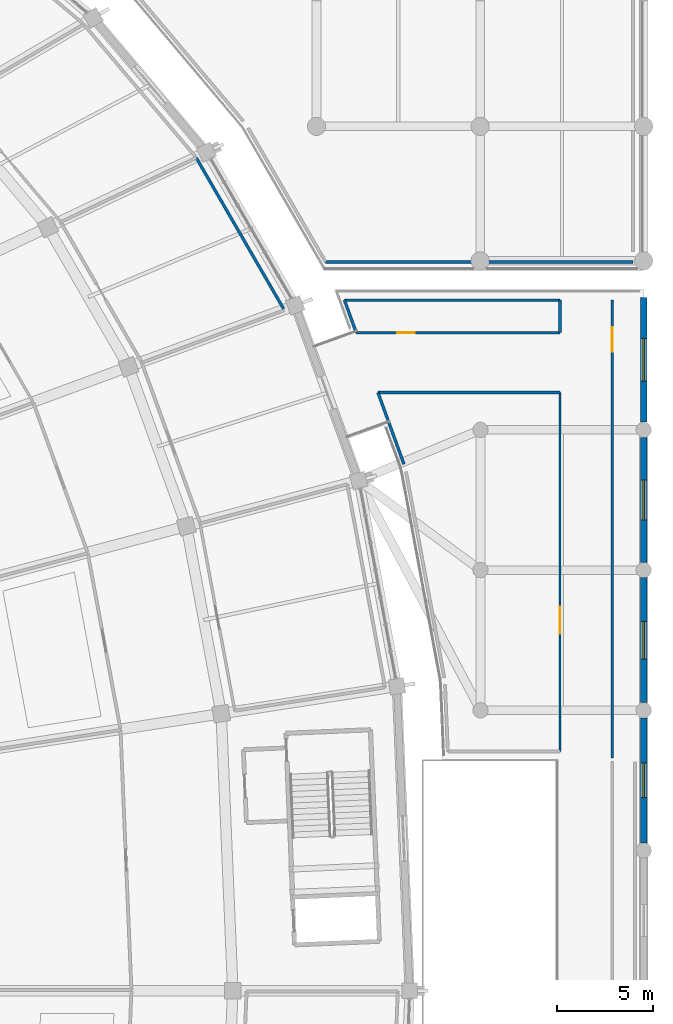
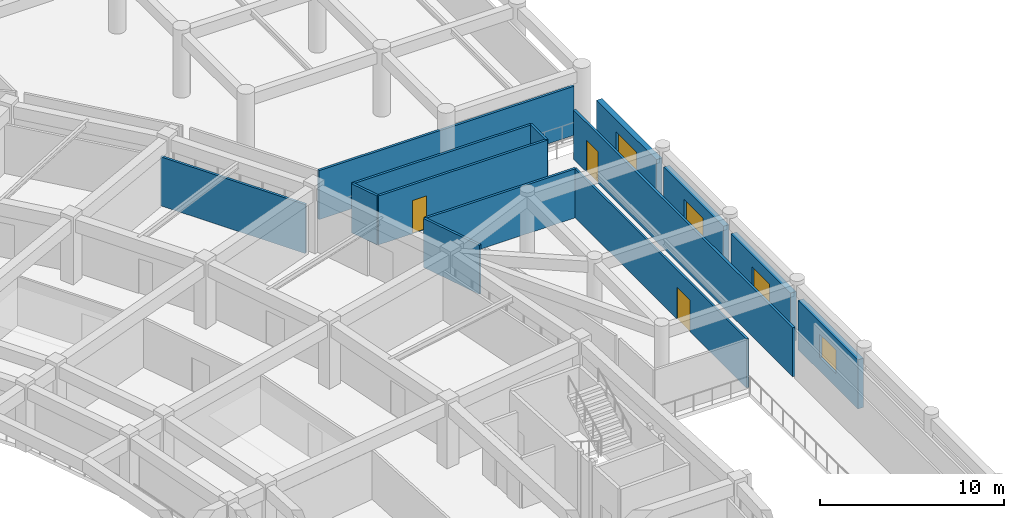
# One storey, part 106 of 145: 14 walls, 4 windows, 3 doors, 7 openings.
"""IFC4 building model written with IfcOpenShell, lengths in metres."""

from ifc_helpers import new_model, si_unit, direction, frame, frame_2d, origin, place, context, subcontext, project, spatial, rectangle, extrude, material, layer, layer_set, type_object, element, fill, save


model = new_model("IFC4")

# Units and contexts
model_context = context("Model", 3, precision=1e-05, world=origin(), true_north=direction((0.0, 1.0)))
body_context = subcontext(model_context, "Body", "Model", "MODEL_VIEW")
ifc_project = project(units=[si_unit("LENGTHUNIT", "METRE"), si_unit("AREAUNIT", "SQUARE_METRE"), si_unit("VOLUMEUNIT", "CUBIC_METRE"), si_unit("PLANEANGLEUNIT", "RADIAN"), si_unit("MASSUNIT", "GRAM", prefix="KILO")], contexts=[model_context])

# Site, building, storey
site_placement = place(None, origin())
site = spatial("IfcSite", under=ifc_project, at=site_placement, CompositionType="ELEMENT")
building_placement = place(site_placement, origin())
building = spatial("IfcBuilding", under=site, at=building_placement, Name="Mphavela Belvedere Stadium", CompositionType="ELEMENT")
storey_placement = place(building_placement, frame((0.0, 0.0, 10.199951171875)))
storey = spatial("IfcBuildingStorey", under=building, at=storey_placement, Name="L02", CompositionType="ELEMENT", Elevation=10.199951171875)

# Wall, opening, window
ifc_material_1 = material(Name="Honed ashlar limestone masonry", Category="masonry")
ifc_layer_1 = layer(ifc_material_1, 0.35009765625)
ifc_layer_set_1 = layer_set([ifc_layer_1], Name="Honed ashlar limestone masonry")
wall_type_1 = type_object("IfcWallType", Name="WAL-EXT-ASHLAR-350", PredefinedType="STANDARD", material=ifc_layer_set_1)
wall_1_placement = place(storey_placement, frame((230.0, 101.201904296875, 0.0), z_axis=(0.0, 0.0, 1.0), x_axis=(0.0, -1.0, 0.0)))
wall_1 = element("IfcWall", 1, at=wall_1_placement, inside=storey, type_object=wall_type_1, Name="East Planted Eaves Peristyle Colonnade outer facade bay L02-07", PredefinedType="STANDARD", context=body_context, shape_type="SweptSolid", body=[
    extrude(rectangle(XDim=6.50390625, YDim=0.35009765625, at=frame_2d((3.251953125, 0.0))), origin(), (0.0, 0.0, 1.0), 3.260009765625),
])
opening_1_placement = place(wall_1_placement, frame((2.35205078125, 0.0, 0.89990234375)))
opening_1 = element("IfcOpeningElement", 2, at=opening_1_placement, cuts=wall_1, Name="Opening W-314", PredefinedType="OPENING", context=body_context, shape_type="SweptSolid", body=[
    extrude(rectangle(XDim=1.800048828125, YDim=1.550048828125, at=frame_2d((0.89990234375, 0.77490234375))), frame((0.0, 0.18505859375, 0.0), z_axis=(0.0, -1.0, 0.0), x_axis=(1.0, 0.0, 0.0)), (0.0, 0.0, 1.0), 0.3701171875),
])
ifc_material_2 = material(Name="Bronze-anodised thermally broken aluminium window", Category="aluminium")
window_type_1 = type_object("IfcWindowType", Name="WIN-EXT-06", PartitioningType="SINGLE_PANEL", PredefinedType="WINDOW", material=ifc_material_2)
window_1_placement = place(opening_1_placement, origin())
window_1 = element("IfcWindow", 3, at=window_1_placement, inside=storey, type_object=window_type_1, Name="East Planted Eaves Peristyle Colonnade classical window W-314", OverallHeight=1.550048828125, OverallWidth=1.800048828125, PartitioningType="SINGLE_PANEL", PredefinedType="WINDOW", context=body_context, shape_type="SweptSolid", body=[
    extrude(rectangle(XDim=1.800048828125, YDim=1.550048828125, at=frame_2d((0.89990234375, 0.77490234375))), frame((0.0, 0.030029296875, 0.0), z_axis=(0.0, -1.0, 0.0), x_axis=(1.0, 0.0, 0.0)), (0.0, 0.0, 1.0), 0.06005859375),
])
fill(opening_1, window_1)

wall_2_placement = place(storey_placement, frame((230.0, 108.501953125, 0.0), z_axis=(0.0, 0.0, 1.0), x_axis=(0.0, -1.0, 0.0)))
wall_2 = element("IfcWall", 4, at=wall_2_placement, inside=storey, type_object=wall_type_1, Name="East Planted Eaves Peristyle Colonnade outer facade bay L02-08", PredefinedType="STANDARD", context=body_context, shape_type="SweptSolid", body=[
    extrude(rectangle(XDim=6.50390625, YDim=0.35009765625, at=frame_2d((3.251953125, 0.0))), origin(), (0.0, 0.0, 1.0), 3.260009765625),
])
opening_2_placement = place(wall_2_placement, frame((2.281982421875, 0.0, 0.89990234375)))
opening_2 = element("IfcOpeningElement", 5, at=opening_2_placement, cuts=wall_2, Name="Opening W-315", PredefinedType="OPENING", context=body_context, shape_type="SweptSolid", body=[
    extrude(rectangle(XDim=1.93994140625, YDim=1.550048828125, at=frame_2d((0.969970703125, 0.77490234375))), frame((0.0, 0.18505859375, 0.0), z_axis=(0.0, -1.0, 0.0), x_axis=(1.0, 0.0, 0.0)), (0.0, 0.0, 1.0), 0.3701171875),
])
ifc_material_3 = material(Name="Bronze-anodised thermally broken aluminium window", Category="aluminium")
window_type_2 = type_object("IfcWindowType", Name="WIN-EXT-07", PartitioningType="SINGLE_PANEL", PredefinedType="WINDOW", material=ifc_material_3)
window_2_placement = place(opening_2_placement, origin())
window_2 = element("IfcWindow", 6, at=window_2_placement, inside=storey, type_object=window_type_2, Name="East Planted Eaves Peristyle Colonnade classical window W-315", OverallHeight=1.550048828125, OverallWidth=1.93994140625, PartitioningType="SINGLE_PANEL", PredefinedType="WINDOW", context=body_context, shape_type="SweptSolid", body=[
    extrude(rectangle(XDim=1.93994140625, YDim=1.550048828125, at=frame_2d((0.969970703125, 0.77490234375))), frame((0.0, 0.030029296875, 0.0), z_axis=(0.0, -1.0, 0.0), x_axis=(1.0, 0.0, 0.0)), (0.0, 0.0, 1.0), 0.06005859375),
])
fill(opening_2, window_2)

wall_3_placement = place(storey_placement, frame((230.0, 115.802001953125, 0.0), z_axis=(0.0, 0.0, 1.0), x_axis=(0.0, -1.0, 0.0)))
wall_3 = element("IfcWall", 7, at=wall_3_placement, inside=storey, type_object=wall_type_1, Name="East Planted Eaves Peristyle Colonnade outer facade bay L02-09", PredefinedType="STANDARD", context=body_context, shape_type="SweptSolid", body=[
    extrude(rectangle(XDim=6.50390625, YDim=0.35009765625, at=frame_2d((3.251953125, 0.0))), origin(), (0.0, 0.0, 1.0), 3.260009765625),
])
opening_3_placement = place(wall_3_placement, frame((2.2119140625, 0.0, 0.89990234375)))
opening_3 = element("IfcOpeningElement", 8, at=opening_3_placement, cuts=wall_3, Name="Opening W-316", PredefinedType="OPENING", context=body_context, shape_type="SweptSolid", body=[
    extrude(rectangle(XDim=2.080078125, YDim=1.550048828125, at=frame_2d((1.0400390625, 0.77490234375))), frame((0.0, 0.18505859375, 0.0), z_axis=(0.0, -1.0, 0.0), x_axis=(1.0, 0.0, 0.0)), (0.0, 0.0, 1.0), 0.3701171875),
])
ifc_material_4 = material(Name="Bronze-anodised thermally broken aluminium window", Category="aluminium")
window_type_3 = type_object("IfcWindowType", Name="WIN-EXT-08", PartitioningType="SINGLE_PANEL", PredefinedType="WINDOW", material=ifc_material_4)
window_3_placement = place(opening_3_placement, origin())
window_3 = element("IfcWindow", 9, at=window_3_placement, inside=storey, type_object=window_type_3, Name="East Planted Eaves Peristyle Colonnade classical window W-316", OverallHeight=1.550048828125, OverallWidth=2.080078125, PartitioningType="SINGLE_PANEL", PredefinedType="WINDOW", context=body_context, shape_type="SweptSolid", body=[
    extrude(rectangle(XDim=2.080078125, YDim=1.550048828125, at=frame_2d((1.0400390625, 0.77490234375))), frame((0.0, 0.030029296875, 0.0), z_axis=(0.0, -1.0, 0.0), x_axis=(1.0, 0.0, 0.0)), (0.0, 0.0, 1.0), 0.06005859375),
])
fill(opening_3, window_3)

wall_4_placement = place(storey_placement, frame((230.0, 123.10205078125, 0.0), z_axis=(0.0, 0.0, 1.0), x_axis=(0.0, -1.0, 0.0)))
wall_4 = element("IfcWall", 10, at=wall_4_placement, inside=storey, type_object=wall_type_1, Name="East Planted Eaves Peristyle Colonnade outer facade bay L02-10", PredefinedType="STANDARD", context=body_context, shape_type="SweptSolid", body=[
    extrude(rectangle(XDim=6.504150390625, YDim=0.35009765625, at=frame_2d((3.251953125, 0.0))), origin(), (0.0, 0.0, 1.0), 3.260009765625),
])
opening_4_placement = place(wall_4_placement, frame((2.14208984375, 0.0, 0.89990234375)))
opening_4 = element("IfcOpeningElement", 11, at=opening_4_placement, cuts=wall_4, Name="Opening W-317", PredefinedType="OPENING", context=body_context, shape_type="SweptSolid", body=[
    extrude(rectangle(XDim=2.219970703125, YDim=1.550048828125, at=frame_2d((1.10986328125, 0.77490234375))), frame((0.0, 0.18505859375, 0.0), z_axis=(0.0, -1.0, 0.0), x_axis=(1.0, 0.0, 0.0)), (0.0, 0.0, 1.0), 0.3701171875),
])
ifc_material_5 = material(Name="Bronze-anodised thermally broken aluminium window", Category="aluminium")
window_type_4 = type_object("IfcWindowType", Name="WIN-EXT-09", PartitioningType="SINGLE_PANEL", PredefinedType="WINDOW", material=ifc_material_5)
window_4_placement = place(opening_4_placement, origin())
window_4 = element("IfcWindow", 12, at=window_4_placement, inside=storey, type_object=window_type_4, Name="East Planted Eaves Peristyle Colonnade classical window W-317", OverallHeight=1.550048828125, OverallWidth=2.219970703125, PartitioningType="SINGLE_PANEL", PredefinedType="WINDOW", context=body_context, shape_type="SweptSolid", body=[
    extrude(rectangle(XDim=2.219970703125, YDim=1.550048828125, at=frame_2d((1.10986328125, 0.77490234375))), frame((0.0, 0.030029296875, 0.0), z_axis=(0.0, -1.0, 0.0), x_axis=(1.0, 0.0, 0.0)), (0.0, 0.0, 1.0), 0.06005859375),
])
fill(opening_4, window_4)

# Wall, opening, door
ifc_material_6 = material(Name="Moisture-resistant sanitary partition assembly")
ifc_layer_2 = layer(ifc_material_6, 0.125)
ifc_layer_set_2 = layer_set([ifc_layer_2], Name="Moisture-resistant sanitary partition assembly")
wall_type_2 = type_object("IfcWallType", Name="WAL-PART-125", PredefinedType="PARTITIONING", material=ifc_layer_set_2)
wall_5_placement = place(storey_placement, frame((225.639892578125, 118.139892578125, 0.0), z_axis=(0.0, 0.0, 1.0), x_axis=(0.0, -1.0, 0.0)))
wall_5 = element("IfcWall", 13, at=wall_5_placement, inside=storey, type_object=wall_type_2, Name="Room L02-202 corridor partition", PredefinedType="PARTITIONING", context=body_context, shape_type="SweptSolid", body=[
    extrude(rectangle(XDim=18.68994140625, YDim=0.125, at=frame_2d((9.344970703125, 0.0))), origin(), (0.0, 0.0, 1.0), 3.25),
])
opening_5_placement = place(wall_5_placement, frame((11.142578125, 0.0, 0.0)))
opening_5 = element("IfcOpeningElement", 14, at=opening_5_placement, cuts=wall_5, Name="Opening ID-552", PredefinedType="OPENING", context=body_context, shape_type="SweptSolid", body=[
    extrude(rectangle(XDim=1.39990234375, YDim=2.10009765625, at=frame_2d((0.699951171875, 1.050048828125))), frame((0.0, 0.072509765625, 0.0), z_axis=(0.0, -1.0, 0.0), x_axis=(1.0, 0.0, 0.0)), (0.0, 0.0, 1.0), 0.14501953125),
])
ifc_material_7 = material(Name="Hardwood acoustic timber doorset", Category="wood")
door_type_1 = type_object("IfcDoorType", Name="DR-INT-12", OperationType="NOTDEFINED", PredefinedType="DOOR", material=ifc_material_7)
door_1_placement = place(opening_5_placement, origin())
door_1 = element("IfcDoor", 15, at=door_1_placement, inside=storey, type_object=door_type_1, Name="Room L02-202 entrance door ID-552", OperationType="SINGLE_SWING_RIGHT", OverallHeight=2.10009765625, OverallWidth=1.39990234375, PredefinedType="DOOR", context=body_context, shape_type="SweptSolid", body=[
    extrude(rectangle(XDim=1.39990234375, YDim=2.10009765625, at=frame_2d((0.699951171875, 1.050048828125))), frame((0.0, 0.02490234375, 0.0), z_axis=(0.0, -1.0, 0.0), x_axis=(1.0, 0.0, 0.0)), (0.0, 0.0, 1.0), 0.050048828125),
])
fill(opening_5, door_1)

ifc_material_8 = material(Name="Acoustic gypsum stud partition assembly")
ifc_layer_3 = layer(ifc_material_8, 0.14990234375)
ifc_layer_set_3 = layer_set([ifc_layer_3], Name="Acoustic gypsum stud partition assembly")
wall_type_3 = type_object("IfcWallType", Name="WAL-PART-150", PredefinedType="PARTITIONING", material=ifc_layer_set_3)
wall_6_placement = place(storey_placement, frame((228.360107421875, 99.11669921875, 0.0), z_axis=(0.0, 0.0, 1.0), x_axis=(0.0, 1.0, 0.0)))
wall_6 = element("IfcWall", 16, at=wall_6_placement, inside=storey, type_object=wall_type_3, Name="Room L02-200 corridor partition", PredefinedType="PARTITIONING", context=body_context, shape_type="SweptSolid", body=[
    extrude(rectangle(XDim=23.833251953125, YDim=0.14990234375, at=frame_2d((11.91650390625, 0.0))), origin(), (0.0, 0.0, 1.0), 3.25),
])
opening_6_placement = place(wall_6_placement, frame((21.156494140625, 0.0, 0.0)))
opening_6 = element("IfcOpeningElement", 17, at=opening_6_placement, cuts=wall_6, Name="Opening ID-550", PredefinedType="OPENING", context=body_context, shape_type="SweptSolid", body=[
    extrude(rectangle(XDim=1.260009765625, YDim=2.10009765625, at=frame_2d((0.6298828125, 1.050048828125))), frame((0.0, 0.0849609375, 0.0), z_axis=(0.0, -1.0, 0.0), x_axis=(1.0, 0.0, 0.0)), (0.0, 0.0, 1.0), 0.169921875),
])
ifc_material_9 = material(Name="Hardwood acoustic timber doorset", Category="wood")
door_type_2 = type_object("IfcDoorType", Name="DR-INT-10", OperationType="NOTDEFINED", PredefinedType="DOOR", material=ifc_material_9)
door_2_placement = place(opening_6_placement, origin())
door_2 = element("IfcDoor", 18, at=door_2_placement, inside=storey, type_object=door_type_2, Name="Room L02-200 entrance door ID-550", OperationType="SINGLE_SWING_RIGHT", OverallHeight=2.10009765625, OverallWidth=1.260009765625, PredefinedType="DOOR", context=body_context, shape_type="SweptSolid", body=[
    extrude(rectangle(XDim=1.260009765625, YDim=2.10009765625, at=frame_2d((0.6298828125, 1.050048828125))), frame((0.0, 0.02490234375, 0.0), z_axis=(0.0, -1.0, 0.0), x_axis=(1.0, 0.0, 0.0)), (0.0, 0.0, 1.0), 0.050048828125),
])
fill(opening_6, door_2)

wall_7_placement = place(storey_placement, frame((225.639892578125, 121.260009765625, 0.0), z_axis=(0.0, 0.0, 1.0), x_axis=(-1.0, 0.0, 0.0)))
wall_7 = element("IfcWall", 19, at=wall_7_placement, inside=storey, type_object=wall_type_3, Name="Room L02-203 corridor partition", PredefinedType="PARTITIONING", context=body_context, shape_type="SweptSolid", body=[
    extrude(rectangle(XDim=10.6083984375, YDim=0.14990234375, at=frame_2d((5.30419921875, 0.0))), origin(), (0.0, 0.0, 1.0), 3.25),
])
opening_7_placement = place(wall_7_placement, frame((7.57470703125, 0.0, 0.0)))
opening_7 = element("IfcOpeningElement", 20, at=opening_7_placement, cuts=wall_7, Name="Opening ID-553", PredefinedType="OPENING", context=body_context, shape_type="SweptSolid", body=[
    extrude(rectangle(XDim=0.89990234375, YDim=2.199951171875, at=frame_2d((0.449951171875, 1.10009765625))), frame((0.0, 0.0849609375, 0.0), z_axis=(0.0, -1.0, 0.0), x_axis=(1.0, 0.0, 0.0)), (0.0, 0.0, 1.0), 0.169921875),
])
ifc_material_10 = material(Name="Hardwood acoustic timber doorset", Category="wood")
door_type_3 = type_object("IfcDoorType", Name="DR-INT-13", OperationType="NOTDEFINED", PredefinedType="DOOR", material=ifc_material_10)
door_3_placement = place(opening_7_placement, origin())
door_3 = element("IfcDoor", 21, at=door_3_placement, inside=storey, type_object=door_type_3, Name="Room L02-203 entrance door ID-553", OperationType="SINGLE_SWING_LEFT", OverallHeight=2.199951171875, OverallWidth=0.89990234375, PredefinedType="DOOR", context=body_context, shape_type="SweptSolid", body=[
    extrude(rectangle(XDim=0.89990234375, YDim=2.199951171875, at=frame_2d((0.449951171875, 1.10009765625))), frame((0.0, 0.02490234375, 0.0), z_axis=(0.0, -1.0, 0.0), x_axis=(1.0, 0.0, 0.0)), (0.0, 0.0, 1.0), 0.050048828125),
])
fill(opening_7, door_3)

# Walls
wall_8_placement = place(storey_placement, frame((206.7041015625, 130.3623046875, 0.0), z_axis=(0.0, 0.0, 1.0), x_axis=(0.500574107164, -0.865693689036, 0.0)))
element("IfcWall", 22, at=wall_8_placement, inside=storey, type_object=wall_type_3, Name="Room divider partition L02-0300", PredefinedType="PARTITIONING", context=body_context, shape_type="SweptSolid", body=[
    extrude(rectangle(XDim=9.080322265625, YDim=0.14990234375, at=frame_2d((4.5400390625, 0.0))), origin(), (0.0, 0.0, 1.0), 3.25),
])
wall_9_placement = place(storey_placement, frame((229.449951171875, 124.949951171875, 0.0), z_axis=(0.0, 0.0, 1.0), x_axis=(-1.0, 0.0, 0.0)))
element("IfcWall", 23, at=wall_9_placement, inside=storey, type_object=wall_type_3, Name="Room divider partition L02-1018", PredefinedType="PARTITIONING", context=body_context, shape_type="SweptSolid", body=[
    extrude(rectangle(XDim=16.017333984375, YDim=0.14990234375, at=frame_2d((8.0087890625, 0.0))), origin(), (0.0, 0.0, 1.0), 3.25),
])
wall_10_placement = place(storey_placement, frame((217.5146484375, 114.4150390625, 0.0), z_axis=(0.0, 0.0, 1.0), x_axis=(-0.341035525383, 0.94005040845, 0.0)))
element("IfcWall", 24, at=wall_10_placement, inside=storey, type_object=wall_type_3, Name="Room divider partition L02-1261", PredefinedType="PARTITIONING", context=body_context, shape_type="SweptSolid", body=[
    extrude(rectangle(XDim=3.96240234375, YDim=0.14990234375, at=frame_2d((1.981201171875, 0.0))), origin(), (0.0, 0.0, 1.0), 3.25),
])
wall_11_placement = place(storey_placement, frame((216.163330078125, 118.139892578125, 0.0), z_axis=(0.0, 0.0, 1.0), x_axis=(1.0, 0.0, 0.0)))
element("IfcWall", 25, at=wall_11_placement, inside=storey, type_object=wall_type_3, Name="Room divider partition L02-1262", PredefinedType="PARTITIONING", context=body_context, shape_type="SweptSolid", body=[
    extrude(rectangle(XDim=9.4765625, YDim=0.14990234375, at=frame_2d((4.73828125, 0.0))), origin(), (0.0, 0.0, 1.0), 3.25),
])
wall_12_placement = place(storey_placement, frame((215.031494140625, 121.260009765625, 0.0), z_axis=(0.0, 0.0, 1.0), x_axis=(-0.341012375502, 0.940058806541, 0.0)))
element("IfcWall", 26, at=wall_12_placement, inside=storey, type_object=wall_type_3, Name="Room divider partition L02-1265", PredefinedType="PARTITIONING", context=body_context, shape_type="SweptSolid", body=[
    extrude(rectangle(XDim=1.797607421875, YDim=0.14990234375, at=frame_2d((0.89892578125, 0.0))), origin(), (0.0, 0.0, 1.0), 3.25),
])
wall_13_placement = place(storey_placement, frame((214.41845703125, 122.949951171875, 0.0), z_axis=(0.0, 0.0, 1.0), x_axis=(1.0, 0.0, 0.0)))
element("IfcWall", 27, at=wall_13_placement, inside=storey, type_object=wall_type_3, Name="Room divider partition L02-1266", PredefinedType="PARTITIONING", context=body_context, shape_type="SweptSolid", body=[
    extrude(rectangle(XDim=11.221435546875, YDim=0.14990234375, at=frame_2d((5.61083984375, 0.0))), origin(), (0.0, 0.0, 1.0), 3.25),
])
wall_14_placement = place(storey_placement, frame((225.639892578125, 122.949951171875, 0.0), z_axis=(0.0, 0.0, 1.0), x_axis=(0.0, -1.0, 0.0)))
element("IfcWall", 28, at=wall_14_placement, inside=storey, type_object=wall_type_3, Name="Room divider partition L02-1267", PredefinedType="PARTITIONING", context=body_context, shape_type="SweptSolid", body=[
    extrude(rectangle(XDim=1.68994140625, YDim=0.14990234375, at=frame_2d((0.844970703125, 0.0))), origin(), (0.0, 0.0, 1.0), 3.25),
])

save(model, "model.ifc")
